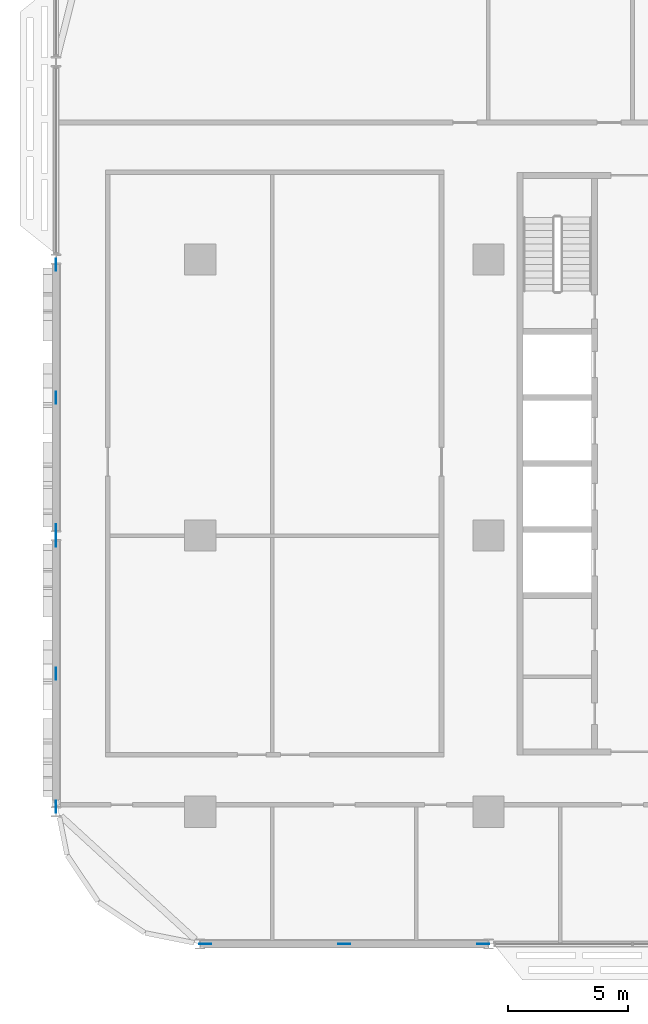
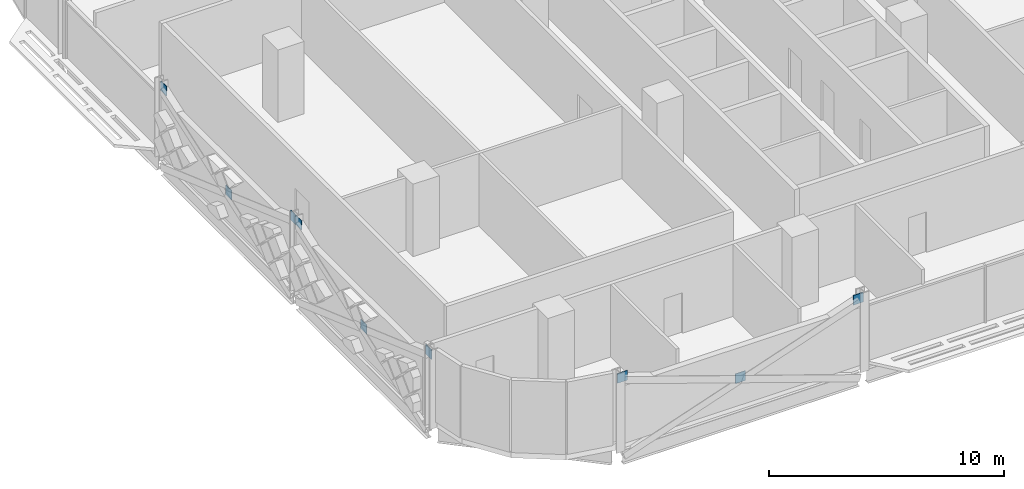
# One storey, part 20 of 29: 9 discrete accessories.
"""IFC4 building model written with IfcOpenShell, lengths in metres."""

from ifc_helpers import new_model, si_unit, direction, frame, origin, origin_2d, place, context, subcontext, project, spatial, rectangle, extrude, material, layer, layer_set, type_object, element, save


model = new_model("IFC4")

# Units and contexts
model_context = context("Model", 3, precision=1e-05, world=origin(), true_north=direction((0.0, 1.0)))
body_context = subcontext(model_context, "Body", "Model", "MODEL_VIEW")
ifc_project = project(units=[si_unit("LENGTHUNIT", "METRE"), si_unit("AREAUNIT", "SQUARE_METRE"), si_unit("VOLUMEUNIT", "CUBIC_METRE"), si_unit("PLANEANGLEUNIT", "RADIAN"), si_unit("MASSUNIT", "GRAM", prefix="KILO")], contexts=[model_context])

# Site, building, storey
site_placement = place(None, origin())
site = spatial("IfcSite", under=ifc_project, at=site_placement, CompositionType="ELEMENT")
building_placement = place(site_placement, origin())
building = spatial("IfcBuilding", under=site, at=building_placement, Name="Mahtab Terrace Research Tower", CompositionType="ELEMENT")
storey_placement = place(building_placement, frame((0.0, 0.0, 146.60009765625)))
storey = spatial("IfcBuildingStorey", under=building, at=storey_placement, Name="L34", CompositionType="ELEMENT", Elevation=146.60009765625)

# Discrete accessories
ifc_material = material(Name="Steel ASTM A992 Gr 50", Category="steel")
ifc_layer = layer(ifc_material, 0.030029296875)
ifc_layer_set = layer_set([ifc_layer], Name="Gusset plate 500x500x30")
discrete_accessory_type = type_object("IfcDiscreteAccessoryType", Name="Gusset plate 500x500x30", PredefinedType="USERDEFINED", material=ifc_layer_set)
for number, where, z_axis, x_axis, name in (
    (1, (-41.794189453125, -17.0, 3.129638671875), (0.0, 0.0, 1.0), (1.0, 0.0, 0.0), "Gusset plate"),
    (2, (-36.0, -17.0, 1.08154296875), (0.0, 0.0, 1.0), (1.0, 0.0, 0.0), "Gusset plate"),
    (3, (-30.205810546875, -17.0, 3.129638671875), (0.0, 0.0, 1.0), (1.0, 0.0, 0.0), "Gusset plate"),
    (4, (-48.0, -11.28271484375, 3.12939453125), (0.0, 0.0, 1.0), (0.0, 1.0, 0.0), "Gusset plate"),
    (5, (-48.0, -5.75, 1.08154296875), (0.0, 0.0, 1.0), (0.0, 1.0, 0.0), "Gusset plate"),
    (6, (-48.0, -0.21728515625, 3.12939453125), (0.0, 0.0, 1.0), (0.0, 1.0, 0.0), "Gusset plate"),
    (7, (-48.0, 0.21728515625, 3.12939453125), (0.0, 0.0, 1.0), (0.0, 1.0, 0.0), "Gusset plate"),
    (8, (-48.0, 5.75, 1.08154296875), (0.0, 0.0, 1.0), (0.0, 1.0, 0.0), "Gusset plate"),
    (9, (-48.0, 11.28271484375, 3.12939453125), (0.0, 0.0, 1.0), (0.0, 1.0, 0.0), "Gusset plate"),
):
    element("IfcDiscreteAccessory", number, at=place(storey_placement, frame(where, z_axis=z_axis, x_axis=x_axis)), inside=storey, type_object=discrete_accessory_type, Name=name, ObjectType="GUSSET PLATE", PredefinedType="USERDEFINED", context=body_context, shape_type="SweptSolid", body=[
        extrude(rectangle(XDim=0.5, YDim=0.030029296875, at=origin_2d()), origin(), (0.0, 0.0, 1.0), 0.5),
    ])

save(model, "model.ifc")
